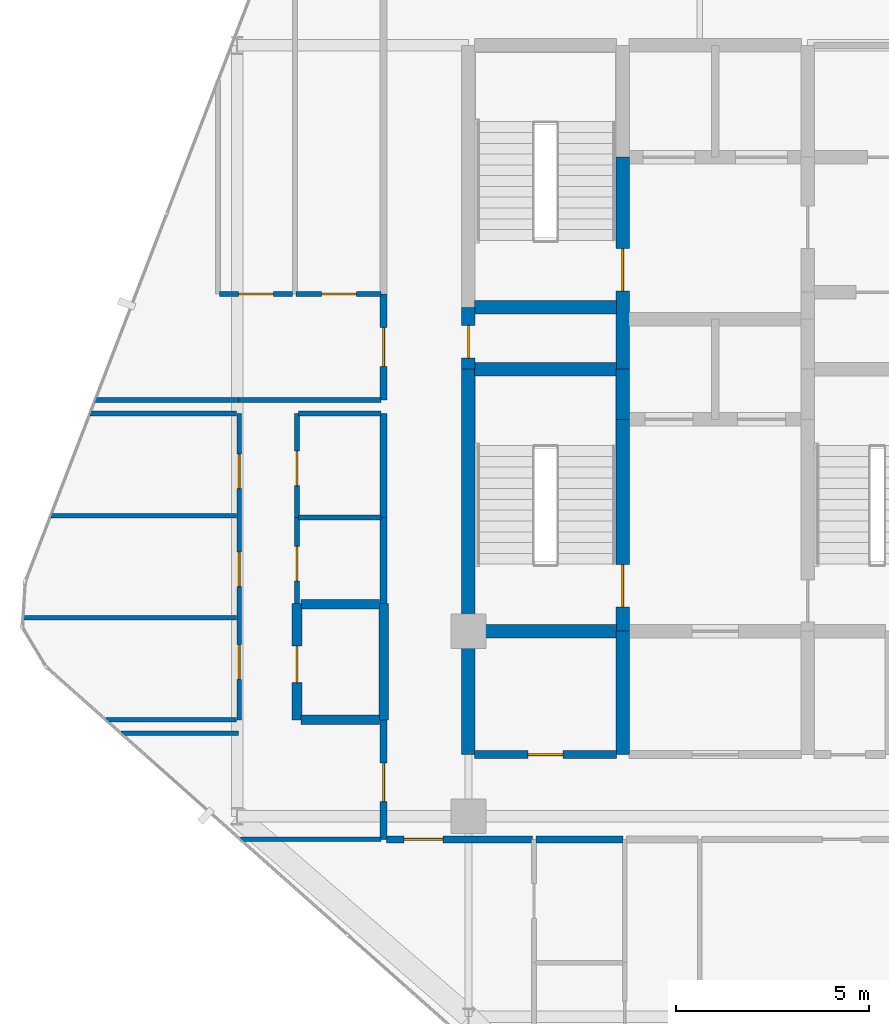
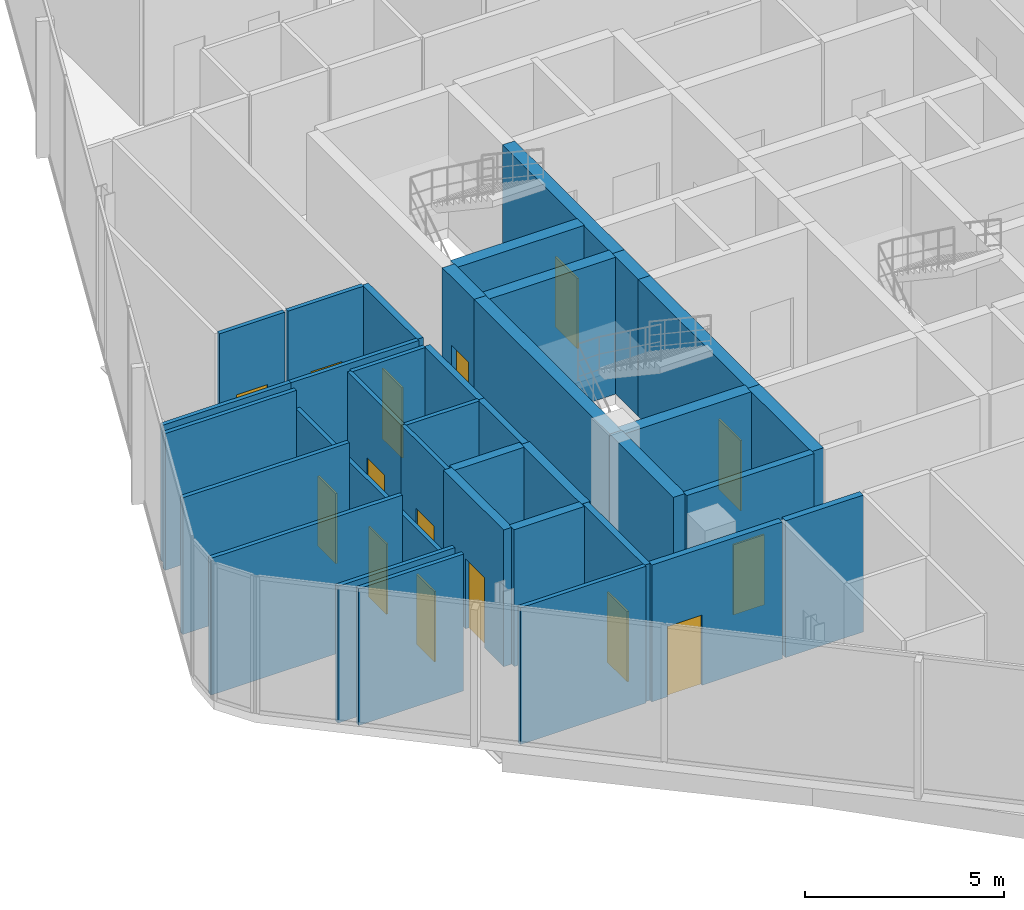
# One storey, part 21 of 28: 36 walls, 15 doors, 15 openings.
"""IFC4 building model written with IfcOpenShell, lengths in metres."""

import ifcopenshell
import ifcopenshell.guid

model = None  # the IFC model being written
_history = None  # IfcOwnerHistory: only IFC2X3 demands one
_inside = {}  # id of a spatial element -> (the spatial element, [elements in it])
_under = {}  # id of a project, library or spatial element -> (it, [spatial elements below it])
_declared = {}  # id of a project -> (the project, [libraries it declares])
_typed = {}  # id of a type object -> (the type object, [elements of that type])
_made_of = {}  # id of a material, layer set ... -> (it, [elements and type objects made of it])


def new_model(schema):
    """Start an empty IFC model of exactly this schema.

    Asked for "IFC4X3", IfcOpenShell would pick the latest addendum, in which some entities
    have other attributes; the version numbers below select the first issue.
    IFC2X3 requires an IfcOwnerHistory on every rooted entity: one is made here for all.
    """
    global model, _history
    if schema == "IFC4X3":
        model = ifcopenshell.file(schema_version=(4, 3, 0, 0))
    else:
        model = ifcopenshell.file(schema=schema)
    _inside.clear()
    _under.clear()
    _declared.clear()
    _typed.clear()
    _made_of.clear()
    _history = None
    if model.schema == "IFC2X3":
        org = make("IfcOrganization", Name="unknown")
        user = make(
            "IfcPersonAndOrganization",
            ThePerson=make("IfcPerson", FamilyName="unknown"),
            TheOrganization=org,
        )
        app = make(
            "IfcApplication",
            ApplicationDeveloper=org,
            Version="unknown",
            ApplicationFullName="unknown",
            ApplicationIdentifier="unknown",
        )
        _history = make(
            "IfcOwnerHistory",
            OwningUser=user,
            OwningApplication=app,
            ChangeAction="ADDED",
            CreationDate=0,
        )
    return model


def make(cls, **values):
    """One entity of the class cls with the attributes given. An attribute that is None is left unset."""
    return model.create_entity(
        cls, **{name: value for name, value in values.items() if value is not None}
    )


def rooted(cls, **values):
    """An entity with a GlobalId (a new one), such as an element, a storey or a relation."""
    return make(cls, GlobalId=ifcopenshell.guid.new(), OwnerHistory=_history, **values)


def si_unit(unit_type, name, prefix=None):
    """IfcSIUnit, for example si_unit("LENGTHUNIT", "METRE", prefix="MILLI")."""
    return make("IfcSIUnit", UnitType=unit_type, Prefix=prefix, Name=name)


def assignment(units):
    """IfcUnitAssignment: the units of a project."""
    return None if units is None else make("IfcUnitAssignment", Units=units)


def point(xyz):
    """IfcCartesianPoint."""
    return None if xyz is None else make("IfcCartesianPoint", Coordinates=xyz)


def direction(xyz):
    """IfcDirection."""
    return None if xyz is None else make("IfcDirection", DirectionRatios=xyz)


def frame(location, z_axis=None, x_axis=None):
    """IfcAxis2Placement3D, a coordinate frame: its origin and axes. An axis left out is left unset."""
    return make(
        "IfcAxis2Placement3D",
        Location=point(location),
        Axis=direction(z_axis),
        RefDirection=direction(x_axis),
    )


def frame_2d(location, x_axis=None):
    """IfcAxis2Placement2D, a coordinate frame in the plane: its origin and x axis."""
    return make(
        "IfcAxis2Placement2D", Location=point(location), RefDirection=direction(x_axis)
    )


def origin():
    """The frame at (0, 0, 0) with its axes left unset."""
    return frame((0.0, 0.0, 0.0))


def place(relative_to, where):
    """IfcLocalPlacement: puts the frame where relative to a parent placement (None: the world)."""
    return make(
        "IfcLocalPlacement", PlacementRelTo=relative_to, RelativePlacement=where
    )


def context(
    kind, dimensions, precision=None, world=None, true_north=None, identifier=None
):
    """IfcGeometricRepresentationContext, for example the 3D "Model" context."""
    return make(
        "IfcGeometricRepresentationContext",
        ContextIdentifier=identifier,
        ContextType=kind,
        CoordinateSpaceDimension=dimensions,
        Precision=precision,
        WorldCoordinateSystem=world,
        TrueNorth=true_north,
    )


def subcontext(parent, identifier, kind, view, scale=None):
    """IfcGeometricRepresentationSubContext, for example "Body" below "Model"."""
    return make(
        "IfcGeometricRepresentationSubContext",
        ContextIdentifier=identifier,
        ContextType=kind,
        ParentContext=parent,
        TargetScale=scale,
        TargetView=view,
    )


def project(units=None, contexts=None):
    """IfcProject with its units and contexts."""
    return rooted(
        "IfcProject",
        Name="project",
        RepresentationContexts=contexts,
        UnitsInContext=assignment(units),
    )


def spatial(cls, under=None, at=None, **own):
    """A site, building, storey or space (cls), placed at a placement, below another one or the project."""
    s = rooted(cls, ObjectPlacement=at, **own)
    if under is not None:
        _under.setdefault(under.id(), (under, []))[1].append(s)
    return s


def profile(cls, at=None, kind="AREA", **sizes):
    """A parametric profile (cls). Its sizes go by their IFC names, for example OverallWidth=200.0."""
    return make(cls, ProfileType=kind, Position=at, **sizes)


def rectangle(**sizes):
    """IfcRectangleProfileDef."""
    return profile("IfcRectangleProfileDef", **sizes)


def extrude(swept, where, along, depth):
    """IfcExtrudedAreaSolid: the profile swept, set in the frame where, extruded along a direction by depth."""
    return make(
        "IfcExtrudedAreaSolid",
        SweptArea=swept,
        Position=where,
        ExtrudedDirection=direction(along),
        Depth=depth,
    )


def shape(context_of_items, identifier, shape_type, items):
    """IfcShapeRepresentation: the items that make up one representation, for example the "Body"."""
    return make(
        "IfcShapeRepresentation",
        ContextOfItems=context_of_items,
        RepresentationIdentifier=identifier,
        RepresentationType=shape_type,
        Items=items,
    )


def material(Name=None, Category=None):
    """IfcMaterial."""
    return make("IfcMaterial", Name=Name, Category=Category)


def layer(
    of_material, thickness, ventilated=None, Name=None, Category=None, Priority=None
):
    """IfcMaterialLayer: one layer of a wall or slab, of a material (None: an air gap)."""
    return make(
        "IfcMaterialLayer",
        Material=of_material,
        LayerThickness=thickness,
        IsVentilated=ventilated,
        Name=Name,
        Category=Category,
        Priority=Priority,
    )


def layer_set(layers, Name=None):
    """IfcMaterialLayerSet."""
    return make("IfcMaterialLayerSet", MaterialLayers=layers, LayerSetName=Name)


def made_of(thing, what):
    """Note that an element or type object is made of a material, layer set ...; save() writes the relation."""
    if what is not None:
        _made_of.setdefault(what.id(), (what, []))[1].append(thing)
    return thing


def type_object(cls, material=None, **own):
    """A type object (cls), such as IfcWallType, which elements share."""
    return made_of(rooted(cls, **own), material)


def element(
    cls,
    number,
    at=None,
    inside=None,
    cuts=None,
    type_object=None,
    material=None,
    context=None,
    identifier="Body",
    shape_type=None,
    held_by="IfcProductDefinitionShape",
    body=None,
    shapes=None,
    **own,
):
    """One element of the class cls, such as IfcWall. Its Tag is "e" and its number.

    at: its placement. inside: the storey or other place that contains it. cuts: it is an
    opening in that element (IfcRelVoidsElement). A single representation is given by context,
    identifier, shape_type and body (its items); several are given by shapes. held_by: the class
    of the entity that holds the representations. save() writes the other relations.
    """
    e = rooted(cls, Tag="e%d" % number, ObjectPlacement=at, **own)
    if body is not None:
        shapes = [shape(context, identifier, shape_type, body)]
    if shapes is not None:
        e.Representation = make(held_by, Representations=shapes)
    if inside is not None:
        _inside.setdefault(inside.id(), (inside, []))[1].append(e)
    if cuts is not None:
        rooted(
            "IfcRelVoidsElement", RelatingBuildingElement=cuts, RelatedOpeningElement=e
        )
    if type_object is not None:
        _typed.setdefault(type_object.id(), (type_object, []))[1].append(e)
    return made_of(e, material)


def fill(opening, filler):
    """IfcRelFillsElement: the door or window that sits in an opening."""
    return rooted(
        "IfcRelFillsElement",
        RelatingOpeningElement=opening,
        RelatedBuildingElement=filler,
    )


def aggregate(whole, parts):
    """IfcRelAggregates: a whole, such as a stair, and the parts it consists of."""
    return rooted("IfcRelAggregates", RelatingObject=whole, RelatedObjects=parts)


def save(model, path):
    """Write the relations noted so far, then the file.

    IfcRelAggregates (storeys below a building ...), IfcRelContainedInSpatialStructure (elements
    in a storey), IfcRelDefinesByType, IfcRelAssociatesMaterial and IfcRelDeclares: one each for
    every whole, place, type object, material and project.
    """
    for whole, parts in _under.values():
        aggregate(whole, parts)
    for where, things in _inside.values():
        rooted(
            "IfcRelContainedInSpatialStructure",
            RelatedElements=things,
            RelatingStructure=where,
        )
    for kind, things in _typed.values():
        rooted("IfcRelDefinesByType", RelatedObjects=things, RelatingType=kind)
    for what, things in _made_of.values():
        rooted("IfcRelAssociatesMaterial", RelatedObjects=things, RelatingMaterial=what)
    for by, libraries in _declared.values():
        rooted("IfcRelDeclares", RelatingContext=by, RelatedDefinitions=libraries)
    model.write(path)


model = new_model("IFC4")

# Units and contexts
model_context = context("Model", 3, precision=1e-05, world=origin(), true_north=direction((0.0, 1.0)))
body_context = subcontext(model_context, "Body", "Model", "MODEL_VIEW")
ifc_project = project(units=[si_unit("LENGTHUNIT", "METRE"), si_unit("AREAUNIT", "SQUARE_METRE"), si_unit("VOLUMEUNIT", "CUBIC_METRE"), si_unit("PLANEANGLEUNIT", "RADIAN"), si_unit("MASSUNIT", "GRAM", prefix="KILO")], contexts=[model_context])

# Site, building, storey
site_placement = place(None, origin())
site = spatial("IfcSite", under=ifc_project, at=site_placement, CompositionType="ELEMENT")
building_placement = place(site_placement, origin())
building = spatial("IfcBuilding", under=site, at=building_placement, Name="Keshet Zoharim Tower", CompositionType="ELEMENT")
storey_placement = place(building_placement, frame((0.0, 0.0, 164.60009765625)))
storey = spatial("IfcBuildingStorey", under=building, at=storey_placement, Name="L40", CompositionType="ELEMENT", Elevation=164.60009765625)

# Walls
ifc_material_1 = material(Name="Concrete C60/75", Category="concrete")
ifc_layer_1 = layer(ifc_material_1, 0.35009765625)
ifc_layer_set_1 = layer_set([ifc_layer_1], Name="Concrete C60/75")
wall_type_1 = type_object("IfcWallType", Name="WL-CORE-350", PredefinedType="SHEAR", material=ifc_layer_set_1)
wall_1_placement = place(storey_placement, frame((15.0, 19.5, 0.0), z_axis=(0.0, 0.0, 1.0), x_axis=(0.0, 1.0, 0.0)))
element("IfcWall", 1, at=wall_1_placement, inside=storey, type_object=wall_type_1, Name="L40 Core Shear Wall 015", PredefinedType="SHEAR", context=body_context, shape_type="SweptSolid", body=[
    extrude(rectangle(XDim=3.199951171875, YDim=0.35009765625, at=frame_2d((1.60009765625, 0.0))), origin(), (0.0, 0.0, 1.0), 4.18994140625),
])
wall_2_placement = place(storey_placement, frame((15.0, 22.699951171875, 0.0), z_axis=(0.0, 0.0, 1.0), x_axis=(0.0, 1.0, 0.0)))
element("IfcWall", 2, at=wall_2_placement, inside=storey, type_object=wall_type_1, Name="L40 Core Shear Wall 016", PredefinedType="SHEAR", context=body_context, shape_type="SweptSolid", body=[
    extrude(rectangle(XDim=6.800048828125, YDim=0.35009765625, at=frame_2d((3.39990234375, 0.0))), origin(), (0.0, 0.0, 1.0), 4.18994140625),
])

# Wall, opening, door
wall_3_placement = place(storey_placement, frame((15.0, 29.5, 0.0), z_axis=(0.0, 0.0, 1.0), x_axis=(0.0, 1.0, 0.0)))
wall_3 = element("IfcWall", 3, at=wall_3_placement, inside=storey, type_object=wall_type_1, Name="L40 Core Shear Wall 017", PredefinedType="SHEAR", context=body_context, shape_type="SweptSolid", body=[
    extrude(rectangle(XDim=1.60009765625, YDim=0.35009765625, at=frame_2d((0.800048828125, 0.0))), origin(), (0.0, 0.0, 1.0), 4.18994140625),
])
opening_1_placement = place(wall_3_placement, frame((0.287109375, 0.0, 0.0)))
opening_1 = element("IfcOpeningElement", 4, at=opening_1_placement, cuts=wall_3, Name="Opening D-RS85", PredefinedType="OPENING", context=body_context, shape_type="SweptSolid", body=[
    extrude(rectangle(XDim=0.85009765625, YDim=2.10009765625, at=frame_2d((0.425048828125, 1.050048828125))), frame((0.0, 0.18505859375, 0.0), z_axis=(0.0, -1.0, 0.0), x_axis=(1.0, 0.0, 0.0)), (0.0, 0.0, 1.0), 0.3701171875),
])
ifc_material_2 = material(Name="Hardwood Timber", Category="wood")
door_type_1 = type_object("IfcDoorType", Name="DR-RIS-085", OperationType="NOTDEFINED", PredefinedType="DOOR", material=ifc_material_2)
door_1_placement = place(opening_1_placement, origin())
door_1 = element("IfcDoor", 5, at=door_1_placement, inside=storey, type_object=door_type_1, Name="L40 Electrical Riser Access Cupboard Door", OperationType="SINGLE_SWING_RIGHT", OverallHeight=2.10009765625, OverallWidth=0.85009765625, PredefinedType="DOOR", context=body_context, shape_type="SweptSolid", body=[
    extrude(rectangle(XDim=0.85009765625, YDim=2.10009765625, at=frame_2d((0.425048828125, 1.050048828125))), frame((0.0, 0.02490234375, 0.0), z_axis=(0.0, -1.0, 0.0), x_axis=(1.0, 0.0, 0.0)), (0.0, 0.0, 1.0), 0.050048828125),
])
fill(opening_1, door_1)

# Wall
wall_4_placement = place(storey_placement, frame((19.0, 19.5, 0.0), z_axis=(0.0, 0.0, 1.0), x_axis=(0.0, 1.0, 0.0)))
element("IfcWall", 6, at=wall_4_placement, inside=storey, type_object=wall_type_1, Name="L40 Core Shear Wall 023", PredefinedType="SHEAR", context=body_context, shape_type="SweptSolid", body=[
    extrude(rectangle(XDim=3.199951171875, YDim=0.35009765625, at=frame_2d((1.60009765625, 0.0))), origin(), (0.0, 0.0, 1.0), 4.18994140625),
])

# Wall, opening, door
wall_5_placement = place(storey_placement, frame((19.0, 22.699951171875, 0.0), z_axis=(0.0, 0.0, 1.0), x_axis=(0.0, 1.0, 0.0)))
wall_5 = element("IfcWall", 7, at=wall_5_placement, inside=storey, type_object=wall_type_1, Name="L40 Core Shear Wall 024", PredefinedType="SHEAR", context=body_context, shape_type="SweptSolid", body=[
    extrude(rectangle(XDim=5.5, YDim=0.35009765625, at=frame_2d((2.75, 0.0))), origin(), (0.0, 0.0, 1.0), 4.18994140625),
])
opening_2_placement = place(wall_5_placement, frame((0.631103515625, 0.0, 0.0)))
opening_2 = element("IfcOpeningElement", 8, at=opening_2_placement, cuts=wall_5, Name="Opening D-F611", PredefinedType="OPENING", context=body_context, shape_type="SweptSolid", body=[
    extrude(rectangle(XDim=1.10009765625, YDim=2.14990234375, at=frame_2d((0.550048828125, 1.074951171875))), frame((0.0, 0.18505859375, 0.0), z_axis=(0.0, -1.0, 0.0), x_axis=(1.0, 0.0, 0.0)), (0.0, 0.0, 1.0), 0.3701171875),
])
door_type_2 = type_object("IfcDoorType", Name="DR-FD60-110", OperationType="NOTDEFINED", PredefinedType="DOOR", material=ifc_material_2)
door_2_placement = place(opening_2_placement, origin())
door_2 = element("IfcDoor", 9, at=door_2_placement, inside=storey, type_object=door_type_2, Name="L40 Exit Stair ST-01 Fire Door", OperationType="SINGLE_SWING_RIGHT", OverallHeight=2.14990234375, OverallWidth=1.10009765625, PredefinedType="DOOR", context=body_context, shape_type="SweptSolid", body=[
    extrude(rectangle(XDim=1.10009765625, YDim=2.14990234375, at=frame_2d((0.550048828125, 1.074951171875))), frame((0.0, 0.02490234375, 0.0), z_axis=(0.0, -1.0, 0.0), x_axis=(1.0, 0.0, 0.0)), (0.0, 0.0, 1.0), 0.050048828125),
])
fill(opening_2, door_2)

# Wall
wall_6_placement = place(storey_placement, frame((19.0, 28.199951171875, 0.0), z_axis=(0.0, 0.0, 1.0), x_axis=(0.0, 1.0, 0.0)))
element("IfcWall", 10, at=wall_6_placement, inside=storey, type_object=wall_type_1, Name="L40 Core Shear Wall 025", PredefinedType="SHEAR", context=body_context, shape_type="SweptSolid", body=[
    extrude(rectangle(XDim=1.300048828125, YDim=0.35009765625, at=frame_2d((0.64990234375, 0.0))), origin(), (0.0, 0.0, 1.0), 4.18994140625),
])

# Wall, opening, door
wall_7_placement = place(storey_placement, frame((19.0, 29.5, 0.0), z_axis=(0.0, 0.0, 1.0), x_axis=(0.0, 1.0, 0.0)))
wall_7 = element("IfcWall", 11, at=wall_7_placement, inside=storey, type_object=wall_type_1, Name="L40 Core Shear Wall 026", PredefinedType="SHEAR", context=body_context, shape_type="SweptSolid", body=[
    extrude(rectangle(XDim=5.5, YDim=0.35009765625, at=frame_2d((2.75, 0.0))), origin(), (0.0, 0.0, 1.0), 4.18994140625),
])
opening_3_placement = place(wall_7_placement, frame((2.02490234375, 0.0, 0.0)))
opening_3 = element("IfcOpeningElement", 12, at=opening_3_placement, cuts=wall_7, Name="Opening D-F611", PredefinedType="OPENING", context=body_context, shape_type="SweptSolid", body=[
    extrude(rectangle(XDim=1.10009765625, YDim=2.14990234375, at=frame_2d((0.550048828125, 1.074951171875))), frame((0.0, 0.18505859375, 0.0), z_axis=(0.0, -1.0, 0.0), x_axis=(1.0, 0.0, 0.0)), (0.0, 0.0, 1.0), 0.3701171875),
])
door_3_placement = place(opening_3_placement, origin())
door_3 = element("IfcDoor", 13, at=door_3_placement, inside=storey, type_object=door_type_2, Name="L40 Exit Stair ST-02 Fire Door", OperationType="SINGLE_SWING_LEFT", OverallHeight=2.14990234375, OverallWidth=1.10009765625, PredefinedType="DOOR", context=body_context, shape_type="SweptSolid", body=[
    extrude(rectangle(XDim=1.10009765625, YDim=2.14990234375, at=frame_2d((0.550048828125, 1.074951171875))), frame((0.0, 0.02490234375, 0.0), z_axis=(0.0, -1.0, 0.0), x_axis=(1.0, 0.0, 0.0)), (0.0, 0.0, 1.0), 0.050048828125),
])
fill(opening_3, door_3)

# Walls
for number, where, z_axis, x_axis, name in (
    (14, (15.159912109375, 22.699951171875, 0.0), (0.0, 0.0, 1.0), (1.0, 0.0, 0.0), "L40 Core Shear Wall 138"),
    (15, (15.159912109375, 29.5, 0.0), (0.0, 0.0, 1.0), (1.0, 0.0, 0.0), "L40 Core Shear Wall 158"),
    (16, (15.159912109375, 31.10009765625, 0.0), (0.0, 0.0, 1.0), (1.0, 0.0, 0.0), "L40 Core Shear Wall 161"),
):
    element("IfcWall", number, at=place(storey_placement, frame(where, z_axis=z_axis, x_axis=x_axis)), inside=storey, type_object=wall_type_1, Name=name, PredefinedType="SHEAR", context=body_context, shape_type="SweptSolid", body=[
        extrude(rectangle(XDim=3.68017578125, YDim=0.35009765625, at=frame_2d((1.840087890625, 0.0))), origin(), (0.0, 0.0, 1.0), 4.18994140625),
    ])

# Wall, opening, door
ifc_material_3 = material(Name="Gypsum Plasterboard", Category="gypsum")
ifc_layer_2 = layer(ifc_material_3, 0.179931640625)
ifc_layer_set_2 = layer_set([ifc_layer_2], Name="Gypsum Plasterboard")
wall_type_2 = type_object("IfcWallType", Name="WL-CORR-180", PredefinedType="STANDARD", material=ifc_layer_set_2)
wall_8_placement = place(storey_placement, frame((12.800048828125, 17.300048828125, 0.0), z_axis=(0.0, 0.0, 1.0), x_axis=(0.0, 1.0, 0.0)))
wall_8 = element("IfcWall", 17, at=wall_8_placement, inside=storey, type_object=wall_type_2, Name="L40 Interior Wall 007", PredefinedType="STANDARD", context=body_context, shape_type="SweptSolid", body=[
    extrude(rectangle(XDim=3.099853515625, YDim=0.179931640625, at=frame_2d((1.5498046875, 0.0))), origin(), (0.0, 0.0, 1.0), 4.18994140625),
])
opening_4_placement = place(wall_8_placement, frame((0.97802734375, 0.0, 0.0)))
opening_4 = element("IfcOpeningElement", 18, at=opening_4_placement, cuts=wall_8, Name="Opening D-F310", PredefinedType="OPENING", context=body_context, shape_type="SweptSolid", body=[
    extrude(rectangle(XDim=1.0, YDim=2.14990234375, at=frame_2d((0.5, 1.074951171875))), frame((0.0, 0.10009765625, 0.0), z_axis=(0.0, -1.0, 0.0), x_axis=(1.0, 0.0, 0.0)), (0.0, 0.0, 1.0), 0.199951171875),
])
door_type_3 = type_object("IfcDoorType", Name="DR-FD30-100", OperationType="NOTDEFINED", PredefinedType="DOOR", material=ifc_material_2)
door_4_placement = place(opening_4_placement, origin())
door_4 = element("IfcDoor", 19, at=door_4_placement, inside=storey, type_object=door_type_3, Name="Apartment 4006 Entrance Door", OperationType="SINGLE_SWING_RIGHT", OverallHeight=2.14990234375, OverallWidth=1.0, PredefinedType="DOOR", context=body_context, shape_type="SweptSolid", body=[
    extrude(rectangle(XDim=1.0, YDim=2.14990234375, at=frame_2d((0.5, 1.074951171875))), frame((0.0, 0.02490234375, 0.0), z_axis=(0.0, -1.0, 0.0), x_axis=(1.0, 0.0, 0.0)), (0.0, 0.0, 1.0), 0.050048828125),
])
fill(opening_4, door_4)

# Walls
wall_9_placement = place(storey_placement, frame((12.800048828125, 23.4208984375, 0.0), z_axis=(0.0, 0.0, 1.0), x_axis=(0.0, 1.0, 0.0)))
element("IfcWall", 20, at=wall_9_placement, inside=storey, type_object=wall_type_2, Name="L40 Interior Wall 009", PredefinedType="STANDARD", context=body_context, shape_type="SweptSolid", body=[
    extrude(rectangle(XDim=2.22607421875, YDim=0.179931640625, at=frame_2d((1.113037109375, 0.0))), origin(), (0.0, 0.0, 1.0), 4.18994140625),
])
wall_10_placement = place(storey_placement, frame((12.800048828125, 25.64697265625, 0.0), z_axis=(0.0, 0.0, 1.0), x_axis=(0.0, 1.0, 0.0)))
element("IfcWall", 21, at=wall_10_placement, inside=storey, type_object=wall_type_2, Name="L40 Interior Wall 010", PredefinedType="STANDARD", context=body_context, shape_type="SweptSolid", body=[
    extrude(rectangle(XDim=2.703125, YDim=0.179931640625, at=frame_2d((1.3515625, 0.0))), origin(), (0.0, 0.0, 1.0), 4.18994140625),
])

# Wall, opening, door
wall_11_placement = place(storey_placement, frame((12.800048828125, 28.699951171875, 0.0), z_axis=(0.0, 0.0, 1.0), x_axis=(0.0, 1.0, 0.0)))
wall_11 = element("IfcWall", 22, at=wall_11_placement, inside=storey, type_object=wall_type_2, Name="L40 Interior Wall 011", PredefinedType="STANDARD", context=body_context, shape_type="SweptSolid", body=[
    extrude(rectangle(XDim=2.75, YDim=0.179931640625, at=frame_2d((1.375, 0.0))), origin(), (0.0, 0.0, 1.0), 4.18994140625),
])
opening_5_placement = place(wall_11_placement, frame((0.875, 0.0, 0.0)))
opening_5 = element("IfcOpeningElement", 23, at=opening_5_placement, cuts=wall_11, Name="Opening D-F310", PredefinedType="OPENING", context=body_context, shape_type="SweptSolid", body=[
    extrude(rectangle(XDim=1.0, YDim=2.14990234375, at=frame_2d((0.5, 1.074951171875))), frame((0.0, 0.10009765625, 0.0), z_axis=(0.0, -1.0, 0.0), x_axis=(1.0, 0.0, 0.0)), (0.0, 0.0, 1.0), 0.199951171875),
])
door_5_placement = place(opening_5_placement, origin())
door_5 = element("IfcDoor", 24, at=door_5_placement, inside=storey, type_object=door_type_3, Name="Apartment 4007 Entrance Door", OperationType="SINGLE_SWING_LEFT", OverallHeight=2.14990234375, OverallWidth=1.0, PredefinedType="DOOR", context=body_context, shape_type="SweptSolid", body=[
    extrude(rectangle(XDim=1.0, YDim=2.14990234375, at=frame_2d((0.5, 1.074951171875))), frame((0.0, 0.02490234375, 0.0), z_axis=(0.0, -1.0, 0.0), x_axis=(1.0, 0.0, 0.0)), (0.0, 0.0, 1.0), 0.050048828125),
])
fill(opening_5, door_5)

wall_12_placement = place(storey_placement, frame((12.875, 17.300048828125, 0.0), z_axis=(0.0, 0.0, 1.0), x_axis=(1.0, 0.0, 0.0)))
wall_12 = element("IfcWall", 25, at=wall_12_placement, inside=storey, type_object=wall_type_2, Name="L40 Interior Wall 117", PredefinedType="STANDARD", context=body_context, shape_type="SweptSolid", body=[
    extrude(rectangle(XDim=3.780029296875, YDim=0.179931640625, at=frame_2d((1.89013671875, 0.0))), origin(), (0.0, 0.0, 1.0), 4.18994140625),
])
opening_6_placement = place(wall_12_placement, frame((0.4580078125, 0.0, 0.0)))
opening_6 = element("IfcOpeningElement", 26, at=opening_6_placement, cuts=wall_12, Name="Opening D-F310", PredefinedType="OPENING", context=body_context, shape_type="SweptSolid", body=[
    extrude(rectangle(XDim=1.0, YDim=2.14990234375, at=frame_2d((0.5, 1.074951171875))), frame((0.0, 0.10009765625, 0.0), z_axis=(0.0, -1.0, 0.0), x_axis=(1.0, 0.0, 0.0)), (0.0, 0.0, 1.0), 0.199951171875),
])
door_6_placement = place(opening_6_placement, origin())
door_6 = element("IfcDoor", 27, at=door_6_placement, inside=storey, type_object=door_type_3, Name="Apartment 4001 Entrance Door", OperationType="SINGLE_SWING_RIGHT", OverallHeight=2.14990234375, OverallWidth=1.0, PredefinedType="DOOR", context=body_context, shape_type="SweptSolid", body=[
    extrude(rectangle(XDim=1.0, YDim=2.14990234375, at=frame_2d((0.5, 1.074951171875))), frame((0.0, 0.02490234375, 0.0), z_axis=(0.0, -1.0, 0.0), x_axis=(1.0, 0.0, 0.0)), (0.0, 0.0, 1.0), 0.050048828125),
])
fill(opening_6, door_6)

# Wall
wall_13_placement = place(storey_placement, frame((16.7451171875, 17.300048828125, 0.0), z_axis=(0.0, 0.0, 1.0), x_axis=(1.0, 0.0, 0.0)))
element("IfcWall", 28, at=wall_13_placement, inside=storey, type_object=wall_type_2, Name="L40 Interior Wall 118", PredefinedType="STANDARD", context=body_context, shape_type="SweptSolid", body=[
    extrude(rectangle(XDim=2.259765625, YDim=0.179931640625, at=frame_2d((1.1298828125, 0.0))), origin(), (0.0, 0.0, 1.0), 4.18994140625),
])

# Wall, opening, door
ifc_material_4 = material(Name="Concrete C50/60", Category="concrete")
ifc_layer_3 = layer(ifc_material_4, 0.199951171875)
ifc_layer_set_3 = layer_set([ifc_layer_3], Name="Concrete C50/60")
wall_type_3 = type_object("IfcWallType", Name="WL-FIRE-200", PredefinedType="STANDARD", material=ifc_layer_set_3)
wall_14_placement = place(storey_placement, frame((15.159912109375, 19.5, 0.0), z_axis=(0.0, 0.0, 1.0), x_axis=(1.0, 0.0, 0.0)))
wall_14 = element("IfcWall", 29, at=wall_14_placement, inside=storey, type_object=wall_type_3, Name="L40 Interior Wall 130", PredefinedType="STANDARD", context=body_context, shape_type="SweptSolid", body=[
    extrude(rectangle(XDim=3.68017578125, YDim=0.199951171875, at=frame_2d((1.840087890625, 0.0))), origin(), (0.0, 0.0, 1.0), 4.18994140625),
])
opening_7_placement = place(wall_14_placement, frame((1.389892578125, 0.0, 0.0)))
opening_7 = element("IfcOpeningElement", 30, at=opening_7_placement, cuts=wall_14, Name="Opening D-F690", PredefinedType="OPENING", context=body_context, shape_type="SweptSolid", body=[
    extrude(rectangle(XDim=0.89990234375, YDim=2.14990234375, at=frame_2d((0.449951171875, 1.074951171875))), frame((0.0, 0.10986328125, 0.0), z_axis=(0.0, -1.0, 0.0), x_axis=(1.0, 0.0, 0.0)), (0.0, 0.0, 1.0), 0.219970703125),
])
door_type_4 = type_object("IfcDoorType", Name="DR-FD60-090", OperationType="NOTDEFINED", PredefinedType="DOOR", material=ifc_material_2)
door_7_placement = place(opening_7_placement, origin())
door_7 = element("IfcDoor", 31, at=door_7_placement, inside=storey, type_object=door_type_4, Name="L40 Refuse Room Door", OperationType="SINGLE_SWING_RIGHT", OverallHeight=2.14990234375, OverallWidth=0.89990234375, PredefinedType="DOOR", context=body_context, shape_type="SweptSolid", body=[
    extrude(rectangle(XDim=0.89990234375, YDim=2.14990234375, at=frame_2d((0.449951171875, 1.074951171875))), frame((0.0, 0.02490234375, 0.0), z_axis=(0.0, -1.0, 0.0), x_axis=(1.0, 0.0, 0.0)), (0.0, 0.0, 1.0), 0.050048828125),
])
fill(opening_7, door_7)

ifc_layer_4 = layer(ifc_material_4, 0.25)
ifc_layer_set_4 = layer_set([ifc_layer_4], Name="Concrete C50/60")
wall_type_4 = type_object("IfcWallType", Name="WL-MAMAD-250", PredefinedType="STANDARD", material=ifc_layer_set_4)
wall_15_placement = place(storey_placement, frame((10.550048828125, 20.39990234375, 0.0), z_axis=(0.0, 0.0, 1.0), x_axis=(0.0, 1.0, 0.0)))
wall_15 = element("IfcWall", 32, at=wall_15_placement, inside=storey, type_object=wall_type_4, Name="L40 Interior Wall 004", PredefinedType="STANDARD", context=body_context, shape_type="SweptSolid", body=[
    extrude(rectangle(XDim=3.02099609375, YDim=0.25, at=frame_2d((1.510498046875, 0.0))), origin(), (0.0, 0.0, 1.0), 4.18994140625),
])
opening_8_placement = place(wall_15_placement, frame((0.964111328125, 0.0, 0.0)))
opening_8 = element("IfcOpeningElement", 33, at=opening_8_placement, cuts=wall_15, Name="Opening D-F695", PredefinedType="OPENING", context=body_context, shape_type="SweptSolid", body=[
    extrude(rectangle(XDim=0.949951171875, YDim=2.14990234375, at=frame_2d((0.47509765625, 1.074951171875))), frame((0.0, 0.135009765625, 0.0), z_axis=(0.0, -1.0, 0.0), x_axis=(1.0, 0.0, 0.0)), (0.0, 0.0, 1.0), 0.27001953125),
])
door_type_5 = type_object("IfcDoorType", Name="DR-FD60-095", OperationType="NOTDEFINED", PredefinedType="DOOR", material=ifc_material_2)
door_8_placement = place(opening_8_placement, origin())
door_8 = element("IfcDoor", 34, at=door_8_placement, inside=storey, type_object=door_type_5, Name="Apartment 4006 Study and Shelter Room Door", OperationType="SINGLE_SWING_LEFT", OverallHeight=2.14990234375, OverallWidth=0.949951171875, PredefinedType="DOOR", context=body_context, shape_type="SweptSolid", body=[
    extrude(rectangle(XDim=0.949951171875, YDim=2.14990234375, at=frame_2d((0.47509765625, 1.074951171875))), frame((0.0, 0.02490234375, 0.0), z_axis=(0.0, -1.0, 0.0), x_axis=(1.0, 0.0, 0.0)), (0.0, 0.0, 1.0), 0.050048828125),
])
fill(opening_8, door_8)

# Walls
wall_16_placement = place(storey_placement, frame((12.800048828125, 20.39990234375, 0.0), z_axis=(0.0, 0.0, 1.0), x_axis=(0.0, 1.0, 0.0)))
element("IfcWall", 35, at=wall_16_placement, inside=storey, type_object=wall_type_4, Name="L40 Interior Wall 008", PredefinedType="STANDARD", context=body_context, shape_type="SweptSolid", body=[
    extrude(rectangle(XDim=3.02099609375, YDim=0.25, at=frame_2d((1.510498046875, 0.0))), origin(), (0.0, 0.0, 1.0), 4.18994140625),
])
for number, where, z_axis, x_axis, name in (
    (36, (10.659912109375, 20.39990234375, 0.0), (0.0, 0.0, 1.0), (1.0, 0.0, 0.0), "L40 Interior Wall 137"),
    (37, (10.659912109375, 23.39990234375, 0.0), (0.0, 0.0, 1.0), (1.0, 0.0, 0.0), "L40 Interior Wall 144"),
):
    element("IfcWall", number, at=place(storey_placement, frame(where, z_axis=z_axis, x_axis=x_axis)), inside=storey, type_object=wall_type_4, Name=name, PredefinedType="STANDARD", context=body_context, shape_type="SweptSolid", body=[
        extrude(rectangle(XDim=2.030029296875, YDim=0.25, at=frame_2d((1.01513671875, 0.0))), origin(), (0.0, 0.0, 1.0), 4.18994140625),
    ])

# Wall, openings, doors
ifc_layer_5 = layer(ifc_material_3, 0.1201171875)
ifc_layer_set_5 = layer_set([ifc_layer_5], Name="Gypsum Plasterboard")
wall_type_5 = type_object("IfcWallType", Name="WL-PART-120", PredefinedType="PARTITIONING", material=ifc_layer_set_5)
wall_17_placement = place(storey_placement, frame((9.050048828125, 20.39990234375, 0.0), z_axis=(0.0, 0.0, 1.0), x_axis=(0.0, 1.0, 0.0)))
wall_17 = element("IfcWall", 38, at=wall_17_placement, inside=storey, type_object=wall_type_5, Name="L40 Interior Wall 002", PredefinedType="PARTITIONING", context=body_context, shape_type="SweptSolid", body=[
    extrude(rectangle(XDim=7.9501953125, YDim=0.1201171875, at=frame_2d((3.97509765625, 0.0))), origin(), (0.0, 0.0, 1.0), 3.58984375),
])
opening_9_placement = place(wall_17_placement, frame((1.050048828125, 0.0, 0.0)))
opening_9 = element("IfcOpeningElement", 39, at=opening_9_placement, cuts=wall_17, Name="Opening D-IN90", PredefinedType="OPENING", context=body_context, shape_type="SweptSolid", body=[
    extrude(rectangle(XDim=0.89990234375, YDim=2.14990234375, at=frame_2d((0.449951171875, 1.074951171875))), frame((0.0, 0.070068359375, 0.0), z_axis=(0.0, -1.0, 0.0), x_axis=(1.0, 0.0, 0.0)), (0.0, 0.0, 1.0), 0.14013671875),
])
opening_10_placement = place(wall_17_placement, frame((3.455078125, 0.0, 0.0)))
opening_10 = element("IfcOpeningElement", 40, at=opening_10_placement, cuts=wall_17, Name="Opening D-IN90", PredefinedType="OPENING", context=body_context, shape_type="SweptSolid", body=[
    extrude(rectangle(XDim=0.89990234375, YDim=2.14990234375, at=frame_2d((0.449951171875, 1.074951171875))), frame((0.0, 0.070068359375, 0.0), z_axis=(0.0, -1.0, 0.0), x_axis=(1.0, 0.0, 0.0)), (0.0, 0.0, 1.0), 0.14013671875),
])
opening_11_placement = place(wall_17_placement, frame((6.0, 0.0, 0.0)))
opening_11 = element("IfcOpeningElement", 41, at=opening_11_placement, cuts=wall_17, Name="Opening D-IN90", PredefinedType="OPENING", context=body_context, shape_type="SweptSolid", body=[
    extrude(rectangle(XDim=0.89990234375, YDim=2.14990234375, at=frame_2d((0.449951171875, 1.074951171875))), frame((0.0, 0.070068359375, 0.0), z_axis=(0.0, -1.0, 0.0), x_axis=(1.0, 0.0, 0.0)), (0.0, 0.0, 1.0), 0.14013671875),
])
door_type_6 = type_object("IfcDoorType", Name="DR-INT-090", OperationType="NOTDEFINED", PredefinedType="DOOR", material=ifc_material_2)
door_9_placement = place(opening_9_placement, origin())
door_9 = element("IfcDoor", 42, at=door_9_placement, inside=storey, type_object=door_type_6, Name="Apartment 4006 Bedroom 1 Door", OperationType="SINGLE_SWING_RIGHT", OverallHeight=2.14990234375, OverallWidth=0.89990234375, PredefinedType="DOOR", context=body_context, shape_type="SweptSolid", body=[
    extrude(rectangle(XDim=0.89990234375, YDim=2.14990234375, at=frame_2d((0.449951171875, 1.074951171875))), frame((0.0, 0.02490234375, 0.0), z_axis=(0.0, -1.0, 0.0), x_axis=(1.0, 0.0, 0.0)), (0.0, 0.0, 1.0), 0.050048828125),
])
fill(opening_9, door_9)
door_10_placement = place(opening_10_placement, origin())
door_10 = element("IfcDoor", 43, at=door_10_placement, inside=storey, type_object=door_type_6, Name="Apartment 4006 Bedroom 2 Door", OperationType="SINGLE_SWING_LEFT", OverallHeight=2.14990234375, OverallWidth=0.89990234375, PredefinedType="DOOR", context=body_context, shape_type="SweptSolid", body=[
    extrude(rectangle(XDim=0.89990234375, YDim=2.14990234375, at=frame_2d((0.449951171875, 1.074951171875))), frame((0.0, 0.02490234375, 0.0), z_axis=(0.0, -1.0, 0.0), x_axis=(1.0, 0.0, 0.0)), (0.0, 0.0, 1.0), 0.050048828125),
])
fill(opening_10, door_10)
door_11_placement = place(opening_11_placement, origin())
door_11 = element("IfcDoor", 44, at=door_11_placement, inside=storey, type_object=door_type_6, Name="Apartment 4006 Bedroom 3 Door", OperationType="SINGLE_SWING_RIGHT", OverallHeight=2.14990234375, OverallWidth=0.89990234375, PredefinedType="DOOR", context=body_context, shape_type="SweptSolid", body=[
    extrude(rectangle(XDim=0.89990234375, YDim=2.14990234375, at=frame_2d((0.449951171875, 1.074951171875))), frame((0.0, 0.02490234375, 0.0), z_axis=(0.0, -1.0, 0.0), x_axis=(1.0, 0.0, 0.0)), (0.0, 0.0, 1.0), 0.050048828125),
])
fill(opening_11, door_11)

# Wall, opening, door
wall_18_placement = place(storey_placement, frame((10.550048828125, 25.64697265625, 0.0), z_axis=(0.0, 0.0, 1.0), x_axis=(0.0, 1.0, 0.0)))
wall_18 = element("IfcWall", 45, at=wall_18_placement, inside=storey, type_object=wall_type_5, Name="L40 Interior Wall 006", PredefinedType="PARTITIONING", context=body_context, shape_type="SweptSolid", body=[
    extrude(rectangle(XDim=2.703125, YDim=0.1201171875, at=frame_2d((1.3515625, 0.0))), origin(), (0.0, 0.0, 1.0), 4.18994140625),
])
opening_12_placement = place(wall_18_placement, frame((0.830078125, 0.0, 0.0)))
opening_12 = element("IfcOpeningElement", 46, at=opening_12_placement, cuts=wall_18, Name="Opening D-IN90", PredefinedType="OPENING", context=body_context, shape_type="SweptSolid", body=[
    extrude(rectangle(XDim=0.89990234375, YDim=2.14990234375, at=frame_2d((0.449951171875, 1.074951171875))), frame((0.0, 0.070068359375, 0.0), z_axis=(0.0, -1.0, 0.0), x_axis=(1.0, 0.0, 0.0)), (0.0, 0.0, 1.0), 0.14013671875),
])
door_12_placement = place(opening_12_placement, origin())
door_12 = element("IfcDoor", 47, at=door_12_placement, inside=storey, type_object=door_type_6, Name="Apartment 4006 Kitchen Door", OperationType="SINGLE_SWING_LEFT", OverallHeight=2.14990234375, OverallWidth=0.89990234375, PredefinedType="DOOR", context=body_context, shape_type="SweptSolid", body=[
    extrude(rectangle(XDim=0.89990234375, YDim=2.14990234375, at=frame_2d((0.449951171875, 1.074951171875))), frame((0.0, 0.02490234375, 0.0), z_axis=(0.0, -1.0, 0.0), x_axis=(1.0, 0.0, 0.0)), (0.0, 0.0, 1.0), 0.050048828125),
])
fill(opening_12, door_12)

# Walls
wall_19_placement = place(storey_placement, frame((9.0849609375, 17.300048828125, 0.0), z_axis=(0.0, 0.0, 1.0), x_axis=(1.0, 0.0, 0.0)))
element("IfcWall", 48, at=wall_19_placement, inside=storey, type_object=wall_type_5, Name="L40 Interior Wall 116", PredefinedType="PARTITIONING", context=body_context, shape_type="SweptSolid", body=[
    extrude(rectangle(XDim=3.64013671875, YDim=0.1201171875, at=frame_2d((1.820068359375, 0.0))), origin(), (0.0, 0.0, 1.0), 4.18994140625),
])
wall_20_placement = place(storey_placement, frame((5.990966796875, 20.050048828125, 0.0), z_axis=(0.0, 0.0, 1.0), x_axis=(1.0, 0.0, 0.0)))
element("IfcWall", 49, at=wall_20_placement, inside=storey, type_object=wall_type_5, Name="L40 Interior Wall 135", PredefinedType="PARTITIONING", context=body_context, shape_type="SweptSolid", body=[
    extrude(rectangle(XDim=3.0390625, YDim=0.1201171875, at=frame_2d((1.51953125, 0.0))), origin(), (0.0, 0.0, 1.0), 4.18994140625),
])
wall_21_placement = place(storey_placement, frame((5.596923828125, 20.39990234375, 0.0), z_axis=(0.0, 0.0, 1.0), x_axis=(1.0, 0.0, 0.0)))
element("IfcWall", 50, at=wall_21_placement, inside=storey, type_object=wall_type_5, Name="L40 Interior Wall 136", PredefinedType="PARTITIONING", context=body_context, shape_type="SweptSolid", body=[
    extrude(rectangle(XDim=3.38818359375, YDim=0.1201171875, at=frame_2d((1.694091796875, 0.0))), origin(), (0.0, 0.0, 1.0), 4.18994140625),
])
wall_22_placement = place(storey_placement, frame((3.446044921875, 23.050048828125, 0.0), z_axis=(0.0, 0.0, 1.0), x_axis=(1.0, 0.0, 0.0)))
element("IfcWall", 51, at=wall_22_placement, inside=storey, type_object=wall_type_5, Name="L40 Interior Wall 143", PredefinedType="PARTITIONING", context=body_context, shape_type="SweptSolid", body=[
    extrude(rectangle(XDim=5.5390625, YDim=0.1201171875, at=frame_2d((2.76953125, 0.0))), origin(), (0.0, 0.0, 1.0), 4.18994140625),
])
wall_23_placement = place(storey_placement, frame((4.1640625, 25.699951171875, 0.0), z_axis=(0.0, 0.0, 1.0), x_axis=(1.0, 0.0, 0.0)))
element("IfcWall", 52, at=wall_23_placement, inside=storey, type_object=wall_type_5, Name="L40 Interior Wall 148", PredefinedType="PARTITIONING", context=body_context, shape_type="SweptSolid", body=[
    extrude(rectangle(XDim=4.821044921875, YDim=0.1201171875, at=frame_2d((2.41064453125, 0.0))), origin(), (0.0, 0.0, 1.0), 4.18994140625),
])
wall_24_placement = place(storey_placement, frame((5.18310546875, 28.35009765625, 0.0), z_axis=(0.0, 0.0, 1.0), x_axis=(1.0, 0.0, 0.0)))
element("IfcWall", 53, at=wall_24_placement, inside=storey, type_object=wall_type_5, Name="L40 Interior Wall 153", PredefinedType="PARTITIONING", context=body_context, shape_type="SweptSolid", body=[
    extrude(rectangle(XDim=3.802001953125, YDim=0.1201171875, at=frame_2d((1.90087890625, 0.0))), origin(), (0.0, 0.0, 1.0), 4.18994140625),
])
wall_25_placement = place(storey_placement, frame((10.594970703125, 28.35009765625, 0.0), z_axis=(0.0, 0.0, 1.0), x_axis=(1.0, 0.0, 0.0)))
element("IfcWall", 54, at=wall_25_placement, inside=storey, type_object=wall_type_5, Name="L40 Interior Wall 154", PredefinedType="PARTITIONING", context=body_context, shape_type="SweptSolid", body=[
    extrude(rectangle(XDim=2.130126953125, YDim=0.1201171875, at=frame_2d((1.06494140625, 0.0))), origin(), (0.0, 0.0, 1.0), 4.18994140625),
])
wall_26_placement = place(storey_placement, frame((5.31689453125, 28.699951171875, 0.0), z_axis=(0.0, 0.0, 1.0), x_axis=(1.0, 0.0, 0.0)))
element("IfcWall", 55, at=wall_26_placement, inside=storey, type_object=wall_type_5, Name="L40 Interior Wall 155", PredefinedType="PARTITIONING", context=body_context, shape_type="SweptSolid", body=[
    extrude(rectangle(XDim=3.713134765625, YDim=0.1201171875, at=frame_2d((1.8564453125, 0.0))), origin(), (0.0, 0.0, 1.0), 4.18994140625),
])
wall_27_placement = place(storey_placement, frame((9.030029296875, 28.699951171875, 0.0), z_axis=(0.0, 0.0, 1.0), x_axis=(1.0, 0.0, 0.0)))
element("IfcWall", 56, at=wall_27_placement, inside=storey, type_object=wall_type_5, Name="L40 Interior Wall 156", PredefinedType="PARTITIONING", context=body_context, shape_type="SweptSolid", body=[
    extrude(rectangle(XDim=3.695068359375, YDim=0.1201171875, at=frame_2d((1.84765625, 0.0))), origin(), (0.0, 0.0, 1.0), 4.18994140625),
])

# Wall, opening, door
wall_28_placement = place(storey_placement, frame((8.544921875, 31.449951171875, 0.0), z_axis=(0.0, 0.0, 1.0), x_axis=(1.0, 0.0, 0.0)))
wall_28 = element("IfcWall", 57, at=wall_28_placement, inside=storey, type_object=wall_type_5, Name="L40 Interior Wall 162", PredefinedType="PARTITIONING", context=body_context, shape_type="SweptSolid", body=[
    extrude(rectangle(XDim=1.88818359375, YDim=0.1201171875, at=frame_2d((0.944091796875, 0.0))), origin(), (0.0, 0.0, 1.0), 4.18994140625),
])
opening_13_placement = place(wall_28_placement, frame((0.493896484375, 0.0, 0.0)))
opening_13 = element("IfcOpeningElement", 58, at=opening_13_placement, cuts=wall_28, Name="Opening D-IN90", PredefinedType="OPENING", context=body_context, shape_type="SweptSolid", body=[
    extrude(rectangle(XDim=0.89990234375, YDim=2.14990234375, at=frame_2d((0.449951171875, 1.074951171875))), frame((0.0, 0.070068359375, 0.0), z_axis=(0.0, -1.0, 0.0), x_axis=(1.0, 0.0, 0.0)), (0.0, 0.0, 1.0), 0.14013671875),
])
door_13_placement = place(opening_13_placement, origin())
door_13 = element("IfcDoor", 59, at=door_13_placement, inside=storey, type_object=door_type_6, Name="Apartment 4007 Kitchen Door", OperationType="SINGLE_SWING_LEFT", OverallHeight=2.14990234375, OverallWidth=0.89990234375, PredefinedType="DOOR", context=body_context, shape_type="SweptSolid", body=[
    extrude(rectangle(XDim=0.89990234375, YDim=2.14990234375, at=frame_2d((0.449951171875, 1.074951171875))), frame((0.0, 0.02490234375, 0.0), z_axis=(0.0, -1.0, 0.0), x_axis=(1.0, 0.0, 0.0)), (0.0, 0.0, 1.0), 0.050048828125),
])
fill(opening_13, door_13)

ifc_layer_6 = layer(ifc_material_3, 0.1201171875)
ifc_layer_set_6 = layer_set([ifc_layer_6], Name="Gypsum Plasterboard")
wall_type_6 = type_object("IfcWallType", Name="WL-WET-120", PredefinedType="PARTITIONING", material=ifc_layer_set_6)
wall_29_placement = place(storey_placement, frame((10.550048828125, 23.4208984375, 0.0), z_axis=(0.0, 0.0, 1.0), x_axis=(0.0, 1.0, 0.0)))
wall_29 = element("IfcWall", 60, at=wall_29_placement, inside=storey, type_object=wall_type_6, Name="L40 Interior Wall 005", PredefinedType="PARTITIONING", context=body_context, shape_type="SweptSolid", body=[
    extrude(rectangle(XDim=2.22607421875, YDim=0.1201171875, at=frame_2d((1.113037109375, 0.0))), origin(), (0.0, 0.0, 1.0), 4.18994140625),
])
opening_14_placement = place(wall_29_placement, frame((0.583984375, 0.0, 0.0)))
opening_14 = element("IfcOpeningElement", 61, at=opening_14_placement, cuts=wall_29, Name="Opening D-WT90", PredefinedType="OPENING", context=body_context, shape_type="SweptSolid", body=[
    extrude(rectangle(XDim=0.89990234375, YDim=2.10009765625, at=frame_2d((0.449951171875, 1.050048828125))), frame((0.0, 0.070068359375, 0.0), z_axis=(0.0, -1.0, 0.0), x_axis=(1.0, 0.0, 0.0)), (0.0, 0.0, 1.0), 0.14013671875),
])
door_type_7 = type_object("IfcDoorType", Name="DR-WET-090", OperationType="NOTDEFINED", PredefinedType="DOOR", material=ifc_material_2)
door_14_placement = place(opening_14_placement, origin())
door_14 = element("IfcDoor", 62, at=door_14_placement, inside=storey, type_object=door_type_7, Name="Apartment 4006 Bathroom Door", OperationType="SINGLE_SWING_RIGHT", OverallHeight=2.10009765625, OverallWidth=0.89990234375, PredefinedType="DOOR", context=body_context, shape_type="SweptSolid", body=[
    extrude(rectangle(XDim=0.89990234375, YDim=2.10009765625, at=frame_2d((0.449951171875, 1.050048828125))), frame((0.0, 0.02490234375, 0.0), z_axis=(0.0, -1.0, 0.0), x_axis=(1.0, 0.0, 0.0)), (0.0, 0.0, 1.0), 0.050048828125),
])
fill(opening_14, door_14)

# Wall
wall_30_placement = place(storey_placement, frame((10.594970703125, 25.64990234375, 0.0), z_axis=(0.0, 0.0, 1.0), x_axis=(1.0, 0.0, 0.0)))
element("IfcWall", 63, at=wall_30_placement, inside=storey, type_object=wall_type_6, Name="L40 Interior Wall 147", PredefinedType="PARTITIONING", context=body_context, shape_type="SweptSolid", body=[
    extrude(rectangle(XDim=2.130126953125, YDim=0.1201171875, at=frame_2d((1.06494140625, 0.0))), origin(), (0.0, 0.0, 1.0), 4.18994140625),
])

# Wall, opening, door
wall_31_placement = place(storey_placement, frame((10.52294921875, 31.449951171875, 0.0), z_axis=(0.0, 0.0, 1.0), x_axis=(1.0, 0.0, 0.0)))
wall_31 = element("IfcWall", 64, at=wall_31_placement, inside=storey, type_object=wall_type_6, Name="L40 Interior Wall 163", PredefinedType="PARTITIONING", context=body_context, shape_type="SweptSolid", body=[
    extrude(rectangle(XDim=2.2021484375, YDim=0.1201171875, at=frame_2d((1.10107421875, 0.0))), origin(), (0.0, 0.0, 1.0), 4.18994140625),
])
opening_15_placement = place(wall_31_placement, frame((0.666015625, 0.0, 0.0)))
opening_15 = element("IfcOpeningElement", 65, at=opening_15_placement, cuts=wall_31, Name="Opening D-WT90", PredefinedType="OPENING", context=body_context, shape_type="SweptSolid", body=[
    extrude(rectangle(XDim=0.89990234375, YDim=2.10009765625, at=frame_2d((0.449951171875, 1.050048828125))), frame((0.0, 0.070068359375, 0.0), z_axis=(0.0, -1.0, 0.0), x_axis=(1.0, 0.0, 0.0)), (0.0, 0.0, 1.0), 0.14013671875),
])
door_15_placement = place(opening_15_placement, origin())
door_15 = element("IfcDoor", 66, at=door_15_placement, inside=storey, type_object=door_type_7, Name="Apartment 4007 Bathroom Door", OperationType="SINGLE_SWING_RIGHT", OverallHeight=2.10009765625, OverallWidth=0.89990234375, PredefinedType="DOOR", context=body_context, shape_type="SweptSolid", body=[
    extrude(rectangle(XDim=0.89990234375, YDim=2.10009765625, at=frame_2d((0.449951171875, 1.050048828125))), frame((0.0, 0.02490234375, 0.0), z_axis=(0.0, -1.0, 0.0), x_axis=(1.0, 0.0, 0.0)), (0.0, 0.0, 1.0), 0.050048828125),
])
fill(opening_15, door_15)

save(model, "model.ifc")
